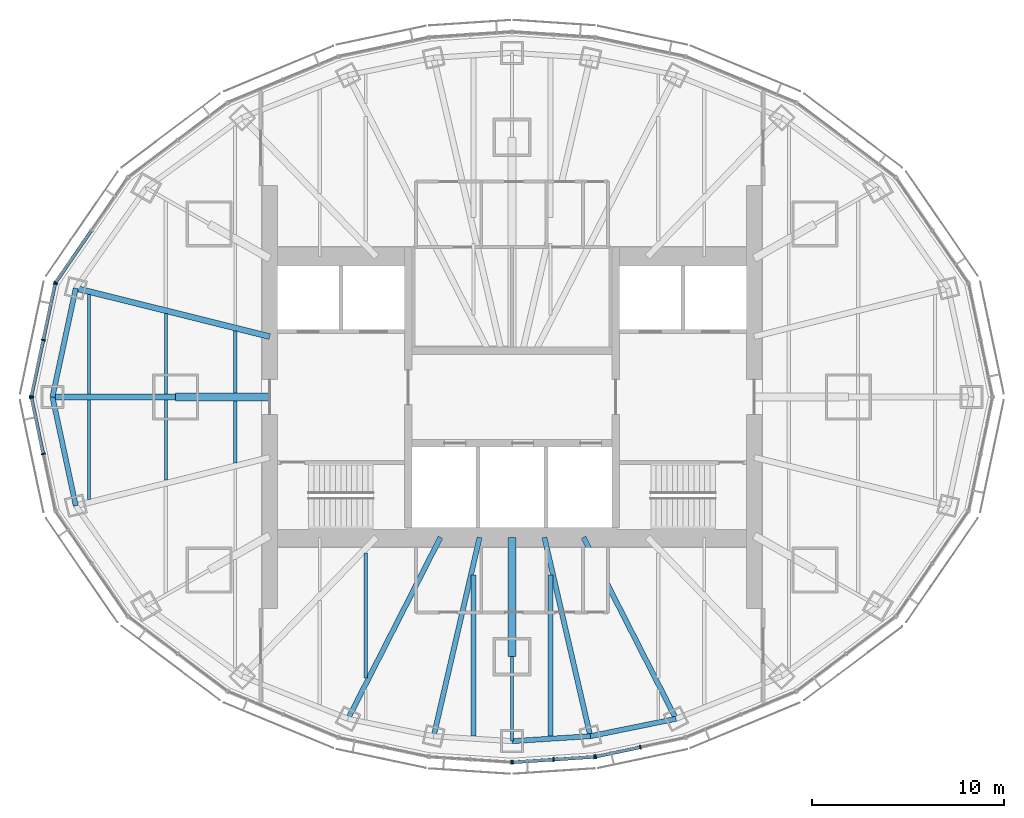
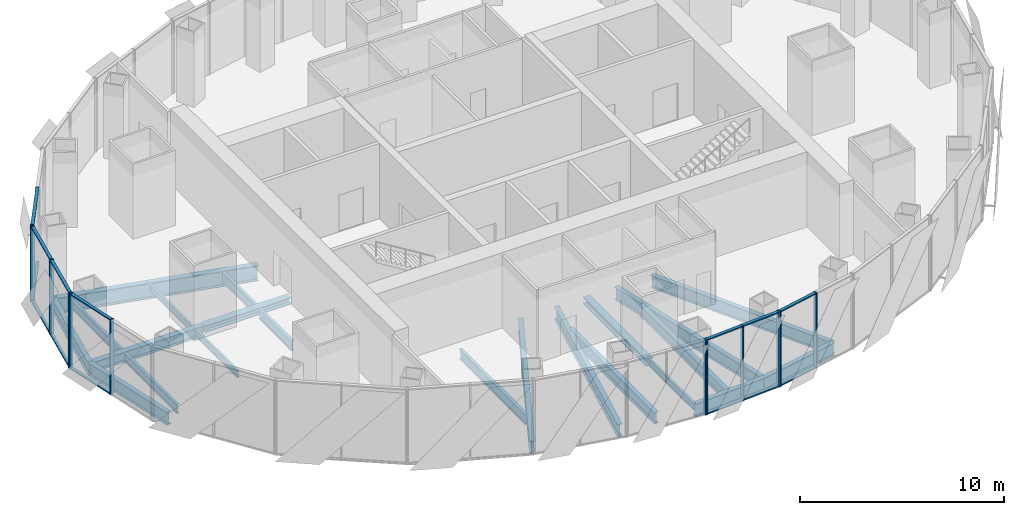
# One storey, part 3 of 15: 26 members, 22 beams, 6 elements without a shape of their own.
"""IFC4 building model written with IfcOpenShell, lengths in metres."""

import ifcopenshell
import ifcopenshell.guid

model = None  # the IFC model being written
_history = None  # IfcOwnerHistory: only IFC2X3 demands one
_inside = {}  # id of a spatial element -> (the spatial element, [elements in it])
_under = {}  # id of a project, library or spatial element -> (it, [spatial elements below it])
_declared = {}  # id of a project -> (the project, [libraries it declares])
_typed = {}  # id of a type object -> (the type object, [elements of that type])
_made_of = {}  # id of a material, layer set ... -> (it, [elements and type objects made of it])


def new_model(schema):
    """Start an empty IFC model of exactly this schema.

    Asked for "IFC4X3", IfcOpenShell would pick the latest addendum, in which some entities
    have other attributes; the version numbers below select the first issue.
    IFC2X3 requires an IfcOwnerHistory on every rooted entity: one is made here for all.
    """
    global model, _history
    if schema == "IFC4X3":
        model = ifcopenshell.file(schema_version=(4, 3, 0, 0))
    else:
        model = ifcopenshell.file(schema=schema)
    _inside.clear()
    _under.clear()
    _declared.clear()
    _typed.clear()
    _made_of.clear()
    _history = None
    if model.schema == "IFC2X3":
        org = make("IfcOrganization", Name="unknown")
        user = make(
            "IfcPersonAndOrganization",
            ThePerson=make("IfcPerson", FamilyName="unknown"),
            TheOrganization=org,
        )
        app = make(
            "IfcApplication",
            ApplicationDeveloper=org,
            Version="unknown",
            ApplicationFullName="unknown",
            ApplicationIdentifier="unknown",
        )
        _history = make(
            "IfcOwnerHistory",
            OwningUser=user,
            OwningApplication=app,
            ChangeAction="ADDED",
            CreationDate=0,
        )
    return model


def make(cls, **values):
    """One entity of the class cls with the attributes given. An attribute that is None is left unset."""
    return model.create_entity(
        cls, **{name: value for name, value in values.items() if value is not None}
    )


def rooted(cls, **values):
    """An entity with a GlobalId (a new one), such as an element, a storey or a relation."""
    return make(cls, GlobalId=ifcopenshell.guid.new(), OwnerHistory=_history, **values)


def si_unit(unit_type, name, prefix=None):
    """IfcSIUnit, for example si_unit("LENGTHUNIT", "METRE", prefix="MILLI")."""
    return make("IfcSIUnit", UnitType=unit_type, Prefix=prefix, Name=name)


def assignment(units):
    """IfcUnitAssignment: the units of a project."""
    return None if units is None else make("IfcUnitAssignment", Units=units)


def point(xyz):
    """IfcCartesianPoint."""
    return None if xyz is None else make("IfcCartesianPoint", Coordinates=xyz)


def direction(xyz):
    """IfcDirection."""
    return None if xyz is None else make("IfcDirection", DirectionRatios=xyz)


def frame(location, z_axis=None, x_axis=None):
    """IfcAxis2Placement3D, a coordinate frame: its origin and axes. An axis left out is left unset."""
    return make(
        "IfcAxis2Placement3D",
        Location=point(location),
        Axis=direction(z_axis),
        RefDirection=direction(x_axis),
    )


def frame_2d(location, x_axis=None):
    """IfcAxis2Placement2D, a coordinate frame in the plane: its origin and x axis."""
    return make(
        "IfcAxis2Placement2D", Location=point(location), RefDirection=direction(x_axis)
    )


def origin():
    """The frame at (0, 0, 0) with its axes left unset."""
    return frame((0.0, 0.0, 0.0))


def origin_2d():
    """The frame at (0, 0) in the plane with its x axis left unset."""
    return frame_2d((0.0, 0.0))


def place(relative_to, where):
    """IfcLocalPlacement: puts the frame where relative to a parent placement (None: the world)."""
    return make(
        "IfcLocalPlacement", PlacementRelTo=relative_to, RelativePlacement=where
    )


def context(
    kind, dimensions, precision=None, world=None, true_north=None, identifier=None
):
    """IfcGeometricRepresentationContext, for example the 3D "Model" context."""
    return make(
        "IfcGeometricRepresentationContext",
        ContextIdentifier=identifier,
        ContextType=kind,
        CoordinateSpaceDimension=dimensions,
        Precision=precision,
        WorldCoordinateSystem=world,
        TrueNorth=true_north,
    )


def subcontext(parent, identifier, kind, view, scale=None):
    """IfcGeometricRepresentationSubContext, for example "Body" below "Model"."""
    return make(
        "IfcGeometricRepresentationSubContext",
        ContextIdentifier=identifier,
        ContextType=kind,
        ParentContext=parent,
        TargetScale=scale,
        TargetView=view,
    )


def project(units=None, contexts=None):
    """IfcProject with its units and contexts."""
    return rooted(
        "IfcProject",
        Name="project",
        RepresentationContexts=contexts,
        UnitsInContext=assignment(units),
    )


def spatial(cls, under=None, at=None, **own):
    """A site, building, storey or space (cls), placed at a placement, below another one or the project."""
    s = rooted(cls, ObjectPlacement=at, **own)
    if under is not None:
        _under.setdefault(under.id(), (under, []))[1].append(s)
    return s


def profile(cls, at=None, kind="AREA", **sizes):
    """A parametric profile (cls). Its sizes go by their IFC names, for example OverallWidth=200.0."""
    return make(cls, ProfileType=kind, Position=at, **sizes)


def rectangle(**sizes):
    """IfcRectangleProfileDef."""
    return profile("IfcRectangleProfileDef", **sizes)


def i_section(**sizes):
    """IfcIShapeProfileDef."""
    return profile("IfcIShapeProfileDef", **sizes)


def extrude(swept, where, along, depth):
    """IfcExtrudedAreaSolid: the profile swept, set in the frame where, extruded along a direction by depth."""
    return make(
        "IfcExtrudedAreaSolid",
        SweptArea=swept,
        Position=where,
        ExtrudedDirection=direction(along),
        Depth=depth,
    )


def shape(context_of_items, identifier, shape_type, items):
    """IfcShapeRepresentation: the items that make up one representation, for example the "Body"."""
    return make(
        "IfcShapeRepresentation",
        ContextOfItems=context_of_items,
        RepresentationIdentifier=identifier,
        RepresentationType=shape_type,
        Items=items,
    )


def material(Name=None, Category=None):
    """IfcMaterial."""
    return make("IfcMaterial", Name=Name, Category=Category)


def material_profile(
    of_material, cross_section, Name=None, Category=None, Priority=None
):
    """IfcMaterialProfile: a cross section and its material."""
    return make(
        "IfcMaterialProfile",
        Name=Name,
        Material=of_material,
        Profile=cross_section,
        Priority=Priority,
        Category=Category,
    )


def profile_set(profiles, Name=None, composite=None):
    """IfcMaterialProfileSet."""
    return make(
        "IfcMaterialProfileSet",
        Name=Name,
        MaterialProfiles=profiles,
        CompositeProfile=composite,
    )


def made_of(thing, what):
    """Note that an element or type object is made of a material, layer set ...; save() writes the relation."""
    if what is not None:
        _made_of.setdefault(what.id(), (what, []))[1].append(thing)
    return thing


def type_object(cls, material=None, **own):
    """A type object (cls), such as IfcWallType, which elements share."""
    return made_of(rooted(cls, **own), material)


def element(
    cls,
    number,
    at=None,
    inside=None,
    cuts=None,
    type_object=None,
    material=None,
    context=None,
    identifier="Body",
    shape_type=None,
    held_by="IfcProductDefinitionShape",
    body=None,
    shapes=None,
    **own,
):
    """One element of the class cls, such as IfcWall. Its Tag is "e" and its number.

    at: its placement. inside: the storey or other place that contains it. cuts: it is an
    opening in that element (IfcRelVoidsElement). A single representation is given by context,
    identifier, shape_type and body (its items); several are given by shapes. held_by: the class
    of the entity that holds the representations. save() writes the other relations.
    """
    e = rooted(cls, Tag="e%d" % number, ObjectPlacement=at, **own)
    if body is not None:
        shapes = [shape(context, identifier, shape_type, body)]
    if shapes is not None:
        e.Representation = make(held_by, Representations=shapes)
    if inside is not None:
        _inside.setdefault(inside.id(), (inside, []))[1].append(e)
    if cuts is not None:
        rooted(
            "IfcRelVoidsElement", RelatingBuildingElement=cuts, RelatedOpeningElement=e
        )
    if type_object is not None:
        _typed.setdefault(type_object.id(), (type_object, []))[1].append(e)
    return made_of(e, material)


def aggregate(whole, parts):
    """IfcRelAggregates: a whole, such as a stair, and the parts it consists of."""
    return rooted("IfcRelAggregates", RelatingObject=whole, RelatedObjects=parts)


def save(model, path):
    """Write the relations noted so far, then the file.

    IfcRelAggregates (storeys below a building ...), IfcRelContainedInSpatialStructure (elements
    in a storey), IfcRelDefinesByType, IfcRelAssociatesMaterial and IfcRelDeclares: one each for
    every whole, place, type object, material and project.
    """
    for whole, parts in _under.values():
        aggregate(whole, parts)
    for where, things in _inside.values():
        rooted(
            "IfcRelContainedInSpatialStructure",
            RelatedElements=things,
            RelatingStructure=where,
        )
    for kind, things in _typed.values():
        rooted("IfcRelDefinesByType", RelatedObjects=things, RelatingType=kind)
    for what, things in _made_of.values():
        rooted("IfcRelAssociatesMaterial", RelatedObjects=things, RelatingMaterial=what)
    for by, libraries in _declared.values():
        rooted("IfcRelDeclares", RelatingContext=by, RelatedDefinitions=libraries)
    model.write(path)


model = new_model("IFC4")

# Units and contexts
model_context = context("Model", 3, precision=1e-05, world=origin(), true_north=direction((0.0, 1.0)))
body_context = subcontext(model_context, "Body", "Model", "MODEL_VIEW")
ifc_project = project(units=[si_unit("LENGTHUNIT", "METRE"), si_unit("AREAUNIT", "SQUARE_METRE"), si_unit("VOLUMEUNIT", "CUBIC_METRE"), si_unit("PLANEANGLEUNIT", "RADIAN"), si_unit("MASSUNIT", "GRAM", prefix="KILO")], contexts=[model_context])

# Site, building, storey
site_placement = place(None, origin())
site = spatial("IfcSite", under=ifc_project, at=site_placement, CompositionType="ELEMENT")
building_placement = place(site_placement, origin())
building = spatial("IfcBuilding", under=site, at=building_placement, Name="Lantaw Convention Tower", CompositionType="ELEMENT")
storey_placement = place(building_placement, frame((0.0, 0.0, 274.89990234375)))
storey = spatial("IfcBuildingStorey", under=building, at=storey_placement, Name="L64", CompositionType="ELEMENT", Elevation=274.89990234375)

# Beams
ifc_material_1 = material(Name="Steel ASTM A992", Category="steel")
ifc_material_profile_1 = material_profile(ifc_material_1, i_section(OverallWidth=0.2666015625, OverallDepth=0.76953125, WebThickness=0.015625, FlangeThickness=0.025390625, FilletRadius=0.0126953125, at=origin_2d()), Name="W30X132")
ifc_profile_set_1 = profile_set([ifc_material_profile_1], Name="Steel ASTM A992")
beam_type_1 = type_object("IfcBeamType", Name="Beam E W30X132", PredefinedType="SPANDREL", material=ifc_profile_set_1)
for number, where, z_axis, x_axis, name in (
    (1, (-22.68701171875, 5.656494140625, -0.53466796875), (-0.209658780372, -0.977774614015, 0.0), (0.977774614015, -0.209658780372, 0.0), "Edge beam 12"),
    (2, (-23.89990234375, 0.0, -0.53466796875), (0.209658780372, -0.977774614015, 0.0), (0.977774614015, 0.209658780372, 0.0), "Edge beam 13"),
):
    element("IfcBeam", number, at=place(storey_placement, frame(where, z_axis=z_axis, x_axis=x_axis)), inside=storey, type_object=beam_type_1, Name=name, PredefinedType="SPANDREL", context=body_context, shape_type="SweptSolid", body=[
        extrude(i_section(OverallWidth=0.2666015625, OverallDepth=0.76953125, WebThickness=0.015625, FlangeThickness=0.025390625, FilletRadius=0.0126953125, at=origin_2d()), origin(), (0.0, 0.0, 1.0), 5.78515625),
    ])
beam_1_placement = place(storey_placement, frame((0.0, -17.89990234375, -0.53466796875), z_axis=(0.998006453216, 0.063111958769, 0.0), x_axis=(-0.063111958769, 0.998006453216, 0.0)))
element("IfcBeam", 3, at=beam_1_placement, inside=storey, type_object=beam_type_1, Name="Edge beam 19", PredefinedType="SPANDREL", context=body_context, shape_type="SweptSolid", body=[
    extrude(i_section(OverallWidth=0.2666015625, OverallDepth=0.76953125, WebThickness=0.015625, FlangeThickness=0.025390625, FilletRadius=0.0126953125, at=origin_2d()), origin(), (0.0, 0.0, 1.0), 4.0810546875),
])
beam_2_placement = place(storey_placement, frame((4.072998046875, -17.642333984375, -0.53466796875), z_axis=(0.980006466425, 0.198965639657, 0.0), x_axis=(-0.198965639657, 0.980006466425, 0.0)))
element("IfcBeam", 4, at=beam_2_placement, inside=storey, type_object=beam_type_1, Name="Edge beam 20", PredefinedType="SPANDREL", context=body_context, shape_type="SweptSolid", body=[
    extrude(i_section(OverallWidth=0.2666015625, OverallDepth=0.76953125, WebThickness=0.015625, FlangeThickness=0.025390625, FilletRadius=0.0126953125, at=origin_2d()), origin(), (0.0, 0.0, 1.0), 4.546142578125),
])
ifc_material_profile_2 = material_profile(ifc_material_1, i_section(OverallWidth=0.140380859375, OverallDepth=0.40380859375, WebThickness=0.007080078125, FlangeThickness=0.01123046875, FilletRadius=0.01025390625, at=origin_2d()), Name="W16X31")
ifc_profile_set_2 = profile_set([ifc_material_profile_2], Name="Steel ASTM A992")
beam_type_2 = type_object("IfcBeamType", Name="Beam G W16X31", PredefinedType="BEAM", material=ifc_profile_set_2)
beam_3_placement = place(storey_placement, frame((0.0, -13.5, -0.351806640625), z_axis=(0.0, -1.0, 0.0), x_axis=(1.0, 0.0, 0.0)))
element("IfcBeam", 5, at=beam_3_placement, inside=storey, type_object=beam_type_2, Name="Floor girder on ray 19", PredefinedType="BEAM", context=body_context, shape_type="SweptSolid", body=[
    extrude(i_section(OverallWidth=0.140380859375, OverallDepth=0.40380859375, WebThickness=0.007080078125, FlangeThickness=0.01123046875, FilletRadius=0.01025390625, at=origin_2d()), origin(), (0.0, 0.0, 1.0), 4.39990234375),
])
ifc_material_profile_3 = material_profile(ifc_material_1, i_section(OverallWidth=0.3251953125, OverallDepth=0.612060546875, WebThickness=0.0126953125, FlangeThickness=0.01904296875, FilletRadius=0.0126953125, at=origin_2d()), Name="W24X104")
ifc_profile_set_3 = profile_set([ifc_material_profile_3], Name="Steel ASTM A992")
beam_type_3 = type_object("IfcBeamType", Name="Beam G W24X104", PredefinedType="BEAM", material=ifc_profile_set_3)
beam_4_placement = place(storey_placement, frame((-17.5, 0.0, -0.4560546875), z_axis=(-1.0, 0.0, 0.0), x_axis=(0.0, -1.0, 0.0)))
element("IfcBeam", 6, at=beam_4_placement, inside=storey, type_object=beam_type_3, Name="Floor girder on ray 13", PredefinedType="BEAM", context=body_context, shape_type="SweptSolid", body=[
    extrude(i_section(OverallWidth=0.3251953125, OverallDepth=0.612060546875, WebThickness=0.0126953125, FlangeThickness=0.01904296875, FilletRadius=0.0126953125, at=origin_2d()), origin(), (0.0, 0.0, 1.0), 6.39990234375),
])
ifc_material_profile_4 = material_profile(ifc_material_1, i_section(OverallWidth=0.2666015625, OverallDepth=0.7568359375, WebThickness=0.013916015625, FlangeThickness=0.019287109375, FilletRadius=0.0126953125, at=origin_2d()), Name="W30X108")
ifc_profile_set_4 = profile_set([ifc_material_profile_4], Name="Steel ASTM A992")
beam_type_4 = type_object("IfcBeamType", Name="Beam G W30X108", PredefinedType="BEAM", material=ifc_profile_set_4)
beam_5_placement = place(storey_placement, frame((-3.719482421875, -7.300048828125, -0.5283203125), z_axis=(-0.453995526284, -0.891003963018, 0.0), x_axis=(0.891003963018, -0.453995526284, 0.0)))
element("IfcBeam", 7, at=beam_5_placement, inside=storey, type_object=beam_type_4, Name="Floor girder on ray 17", PredefinedType="BEAM", context=body_context, shape_type="SweptSolid", body=[
    extrude(i_section(OverallWidth=0.2666015625, OverallDepth=0.7568359375, WebThickness=0.013916015625, FlangeThickness=0.019287109375, FilletRadius=0.0126953125, at=origin_2d()), origin(), (0.0, 0.0, 1.0), 10.59228515625),
])
for number, where, z_axis, x_axis, name in (
    (8, (-1.685302734375, -7.300048828125, -0.5283203125), (-0.22495021771, -0.974370257937, 0.0), (0.974370257937, -0.22495021771, 0.0), "Floor girder on ray 18"),
    (9, (1.685302734375, -7.300048828125, -0.5283203125), (0.22495021771, -0.974370257937, 0.0), (0.974370257937, 0.22495021771, 0.0), "Floor girder on ray 20"),
):
    element("IfcBeam", number, at=place(storey_placement, frame(where, z_axis=z_axis, x_axis=x_axis)), inside=storey, type_object=beam_type_4, Name=name, PredefinedType="BEAM", context=body_context, shape_type="SweptSolid", body=[
        extrude(i_section(OverallWidth=0.2666015625, OverallDepth=0.7568359375, WebThickness=0.013916015625, FlangeThickness=0.019287109375, FilletRadius=0.0126953125, at=origin_2d()), origin(), (0.0, 0.0, 1.0), 10.6142578125),
    ])
beam_6_placement = place(storey_placement, frame((3.719482421875, -7.300048828125, -0.5283203125), z_axis=(0.453995526284, -0.891003963018, 0.0), x_axis=(0.891003963018, 0.453995526284, 0.0)))
element("IfcBeam", 10, at=beam_6_placement, inside=storey, type_object=beam_type_4, Name="Floor girder on ray 21", PredefinedType="BEAM", context=body_context, shape_type="SweptSolid", body=[
    extrude(i_section(OverallWidth=0.2666015625, OverallDepth=0.7568359375, WebThickness=0.013916015625, FlangeThickness=0.019287109375, FilletRadius=0.0126953125, at=origin_2d()), origin(), (0.0, 0.0, 1.0), 10.59228515625),
])
ifc_material_profile_5 = material_profile(ifc_material_1, i_section(OverallWidth=0.307373046875, OverallDepth=0.9423828125, WebThickness=0.022216796875, FlangeThickness=0.039794921875, FilletRadius=0.0126953125, at=origin_2d()), Name="W36X232")
ifc_profile_set_5 = profile_set([ifc_material_profile_5], Name="Steel ASTM A992")
beam_type_5 = type_object("IfcBeamType", Name="Beam G W36X232", PredefinedType="BEAM", material=ifc_profile_set_5)
beam_7_placement = place(storey_placement, frame((-12.60009765625, 3.1416015625, -0.62109375), z_axis=(-0.97029702597, 0.241916682751, 0.0), x_axis=(-0.241916682751, -0.97029702597, 0.0)))
element("IfcBeam", 11, at=beam_7_placement, inside=storey, type_object=beam_type_5, Name="Floor girder on ray 12", PredefinedType="BEAM", context=body_context, shape_type="SweptSolid", body=[
    extrude(i_section(OverallWidth=0.307373046875, OverallDepth=0.9423828125, WebThickness=0.022216796875, FlangeThickness=0.039794921875, FilletRadius=0.0126953125, at=origin_2d()), origin(), (0.0, 0.0, 1.0), 10.395751953125),
])
ifc_material_profile_6 = material_profile(ifc_material_1, i_section(OverallWidth=0.40380859375, OverallDepth=0.406494140625, WebThickness=0.027099609375, FlangeThickness=0.043701171875, FilletRadius=0.01513671875, at=origin_2d()), Name="W14X233")
ifc_profile_set_6 = profile_set([ifc_material_profile_6], Name="Steel ASTM A992")
beam_type_6 = type_object("IfcBeamType", Name="Beam GM W14X233", PredefinedType="BEAM", material=ifc_profile_set_6)
beam_8_placement = place(storey_placement, frame((-12.60009765625, 0.0, -0.35302734375), z_axis=(-1.0, 0.0, 0.0), x_axis=(0.0, -1.0, 0.0)))
element("IfcBeam", 12, at=beam_8_placement, inside=storey, type_object=beam_type_6, Name="Core link beam on ray 13", PredefinedType="BEAM", context=body_context, shape_type="SweptSolid", body=[
    extrude(i_section(OverallWidth=0.40380859375, OverallDepth=0.406494140625, WebThickness=0.027099609375, FlangeThickness=0.043701171875, FilletRadius=0.01513671875, at=origin_2d()), origin(), (0.0, 0.0, 1.0), 4.89990234375),
])
beam_9_placement = place(storey_placement, frame((0.0, -7.300048828125, -0.35302734375), z_axis=(0.0, -1.0, 0.0), x_axis=(1.0, 0.0, 0.0)))
element("IfcBeam", 13, at=beam_9_placement, inside=storey, type_object=beam_type_6, Name="Core link beam on ray 19", PredefinedType="BEAM", context=body_context, shape_type="SweptSolid", body=[
    extrude(i_section(OverallWidth=0.40380859375, OverallDepth=0.406494140625, WebThickness=0.027099609375, FlangeThickness=0.043701171875, FilletRadius=0.01513671875, at=origin_2d()), origin(), (0.0, 0.0, 1.0), 6.199951171875),
])
ifc_material_profile_7 = material_profile(ifc_material_1, i_section(OverallWidth=0.140380859375, OverallDepth=0.40380859375, WebThickness=0.007080078125, FlangeThickness=0.01123046875, FilletRadius=0.01025390625, at=origin_2d()), Name="W16X31")
ifc_profile_set_7 = profile_set([ifc_material_profile_7], Name="Steel ASTM A992")
beam_type_7 = type_object("IfcBeamType", Name="Beam J W16X31", PredefinedType="JOIST", material=ifc_profile_set_7)
for number, where, z_axis, x_axis, name in (
    (14, (-18.0, -4.32958984375, -0.351806640625), (0.0, 1.0, 0.0), (-1.0, 0.0, 0.0), "Floor joist"),
    (15, (-18.0, 0.16259765625, -0.351806640625), (0.0, 1.0, 0.0), (-1.0, 0.0, 0.0), "Floor joist"),
):
    element("IfcBeam", number, at=place(storey_placement, frame(where, z_axis=z_axis, x_axis=x_axis)), inside=storey, type_object=beam_type_7, Name=name, PredefinedType="JOIST", context=body_context, shape_type="SweptSolid", body=[
        extrude(i_section(OverallWidth=0.140380859375, OverallDepth=0.40380859375, WebThickness=0.007080078125, FlangeThickness=0.01123046875, FilletRadius=0.01025390625, at=origin_2d()), origin(), (0.0, 0.0, 1.0), 4.1669921875),
    ])
ifc_material_profile_8 = material_profile(ifc_material_1, i_section(OverallWidth=0.1650390625, OverallDepth=0.52587890625, WebThickness=0.0087890625, FlangeThickness=0.011474609375, FilletRadius=0.0126953125, at=origin_2d()), Name="W21X44")
ifc_profile_set_8 = profile_set([ifc_material_profile_8], Name="Steel ASTM A992")
beam_type_8 = type_object("IfcBeamType", Name="Beam J W21X44", PredefinedType="JOIST", material=ifc_profile_set_8)
for number, where, z_axis, x_axis, name in (
    (16, (-22.0, -5.326904296875, -0.412841796875), (0.0, 1.0, 0.0), (-1.0, 0.0, 0.0), "Floor joist"),
    (17, (-22.0, 0.16259765625, -0.412841796875), (0.0, 1.0, 0.0), (-1.0, 0.0, 0.0), "Floor joist"),
):
    element("IfcBeam", number, at=place(storey_placement, frame(where, z_axis=z_axis, x_axis=x_axis)), inside=storey, type_object=beam_type_8, Name=name, PredefinedType="JOIST", context=body_context, shape_type="SweptSolid", body=[
        extrude(i_section(OverallWidth=0.1650390625, OverallDepth=0.52587890625, WebThickness=0.0087890625, FlangeThickness=0.011474609375, FilletRadius=0.0126953125, at=origin_2d()), origin(), (0.0, 0.0, 1.0), 5.164306640625),
    ])
ifc_material_profile_9 = material_profile(ifc_material_1, i_section(OverallWidth=0.177978515625, OverallDepth=0.599365234375, WebThickness=0.010009765625, FlangeThickness=0.012939453125, FilletRadius=0.012939453125, at=origin_2d()), Name="W24X55")
ifc_profile_set_9 = profile_set([ifc_material_profile_9], Name="Steel ASTM A992")
beam_type_9 = type_object("IfcBeamType", Name="Beam J W24X55", PredefinedType="JOIST", material=ifc_profile_set_9)
for number, where, z_axis, x_axis, name in (
    (18, (-14.39990234375, -3.431884765625, -0.44970703125), (0.0, 1.0, 0.0), (-1.0, 0.0, 0.0), "Floor joist"),
    (19, (-14.39990234375, 0.201904296875, -0.44970703125), (0.0, 1.0, 0.0), (-1.0, 0.0, 0.0), "Floor joist"),
):
    element("IfcBeam", number, at=place(storey_placement, frame(where, z_axis=z_axis, x_axis=x_axis)), inside=storey, type_object=beam_type_9, Name=name, PredefinedType="JOIST", context=body_context, shape_type="SweptSolid", body=[
        extrude(i_section(OverallWidth=0.177978515625, OverallDepth=0.599365234375, WebThickness=0.010009765625, FlangeThickness=0.012939453125, FilletRadius=0.012939453125, at=origin_2d()), origin(), (0.0, 0.0, 1.0), 3.22998046875),
    ])
beam_10_placement = place(storey_placement, frame((-7.60009765625, -14.6220703125, -0.44970703125), z_axis=(0.0, 1.0, 0.0), x_axis=(-1.0, 0.0, 0.0)))
element("IfcBeam", 20, at=beam_10_placement, inside=storey, type_object=beam_type_9, Name="Floor joist", PredefinedType="JOIST", context=body_context, shape_type="SweptSolid", body=[
    extrude(i_section(OverallWidth=0.177978515625, OverallDepth=0.599365234375, WebThickness=0.010009765625, FlangeThickness=0.012939453125, FilletRadius=0.012939453125, at=origin_2d()), origin(), (0.0, 0.0, 1.0), 6.51611328125),
])
ifc_material_profile_10 = material_profile(ifc_material_1, i_section(OverallWidth=0.25390625, OverallDepth=0.683349609375, WebThickness=0.012451171875, FlangeThickness=0.01904296875, FilletRadius=0.01513671875, at=origin_2d()), Name="W27X94")
ifc_profile_set_10 = profile_set([ifc_material_profile_10], Name="Steel ASTM A992")
beam_type_10 = type_object("IfcBeamType", Name="Beam J W27X94", PredefinedType="JOIST", material=ifc_profile_set_10)
for number, where, z_axis, x_axis, name in (
    (21, (-2.0, -17.639892578125, -0.491455078125), (0.0, 1.0, 0.0), (-1.0, 0.0, 0.0), "Floor joist"),
    (22, (2.0, -17.639892578125, -0.491455078125), (0.0, 1.0, 0.0), (-1.0, 0.0, 0.0), "Floor joist"),
):
    element("IfcBeam", number, at=place(storey_placement, frame(where, z_axis=z_axis, x_axis=x_axis)), inside=storey, type_object=beam_type_10, Name=name, PredefinedType="JOIST", context=body_context, shape_type="SweptSolid", body=[
        extrude(i_section(OverallWidth=0.25390625, OverallDepth=0.683349609375, WebThickness=0.012451171875, FlangeThickness=0.01904296875, FilletRadius=0.01513671875, at=origin_2d()), origin(), (0.0, 0.0, 1.0), 8.384033203125),
    ])

# Curtain wall, member
ifc_material_2 = material(Name="Aluminium framed curtain wall", Category="aluminium")
curtain_wall_type = type_object("IfcCurtainWallType", Name="Executive floors curtain wall, pale aluminium", PredefinedType="USERDEFINED", material=ifc_material_2)
curtain_wall_1_placement = place(storey_placement, origin())
curtain_wall_1 = element("IfcCurtainWall", 23, at=curtain_wall_1_placement, inside=storey, type_object=curtain_wall_type, Name="Executive floors curtain wall, pale aluminium L64", ObjectType="UNITISED CURTAIN WALL", PredefinedType="USERDEFINED")
ifc_material_3 = material(Name="Aluminium 6063-T6", Category="aluminium")
ifc_material_profile_11 = material_profile(ifc_material_3, rectangle(XDim=0.219970703125, YDim=0.070068359375, at=origin_2d()), Name="CW-T mullion 70x220")
ifc_profile_set_11 = profile_set([ifc_material_profile_11], Name="Aluminium 6063-T6")
member_type_1 = type_object("IfcMemberType", Name="CW-T mullion 70x220", PredefinedType="MULLION", material=ifc_profile_set_11)
member_1_placement = place(storey_placement, frame((-23.734619140625, 5.951416015625, -0.14990234375), z_axis=(0.0, 0.0, 1.0), x_axis=(0.824449977189, -0.565934832921, 0.0)))
member_1 = element("IfcMember", 24, at=member_1_placement, type_object=member_type_1, Name="CW-T mullion 3", PredefinedType="MULLION", context=body_context, shape_type="SweptSolid", body=[
    extrude(rectangle(XDim=0.219970703125, YDim=0.070068359375, at=origin_2d()), origin(), (0.0, 0.0, 1.0), 4.5),
])

# Curtain wall, members
curtain_wall_2_placement = place(storey_placement, origin())
curtain_wall_2 = element("IfcCurtainWall", 25, at=curtain_wall_2_placement, inside=storey, type_object=curtain_wall_type, Name="Executive floors curtain wall, pale aluminium L64", ObjectType="UNITISED CURTAIN WALL", PredefinedType="USERDEFINED")
member_2_placement = place(storey_placement, frame((-23.761474609375, 5.888427734375, -0.14990234375), z_axis=(0.0, 0.0, 1.0), x_axis=(0.978591117263, -0.205814054946, 0.0)))
member_2 = element("IfcMember", 26, at=member_2_placement, type_object=member_type_1, Name="CW-T mullion 1", PredefinedType="MULLION", context=body_context, shape_type="SweptSolid", body=[
    extrude(rectangle(XDim=0.219970703125, YDim=0.070068359375, at=origin_2d()), origin(), (0.0, 0.0, 1.0), 4.5),
])
member_3_placement = place(storey_placement, frame((-24.377197265625, 2.96142578125, -0.14990234375), z_axis=(0.0, 0.0, 1.0), x_axis=(0.978591117263, -0.205814054946, 0.0)))
member_3 = element("IfcMember", 27, at=member_3_placement, type_object=member_type_1, Name="CW-T mullion 2", PredefinedType="MULLION", context=body_context, shape_type="SweptSolid", body=[
    extrude(rectangle(XDim=0.219970703125, YDim=0.070068359375, at=origin_2d()), origin(), (0.0, 0.0, 1.0), 4.5),
])
member_4_placement = place(storey_placement, frame((-24.99267578125, 0.0341796875, -0.14990234375), z_axis=(0.0, 0.0, 1.0), x_axis=(0.978591117263, -0.205814054946, 0.0)))
member_4 = element("IfcMember", 28, at=member_4_placement, type_object=member_type_1, Name="CW-T mullion 3", PredefinedType="MULLION", context=body_context, shape_type="SweptSolid", body=[
    extrude(rectangle(XDim=0.219970703125, YDim=0.070068359375, at=origin_2d()), origin(), (0.0, 0.0, 1.0), 4.5),
])

curtain_wall_3_placement = place(storey_placement, origin())
curtain_wall_3 = element("IfcCurtainWall", 29, at=curtain_wall_3_placement, inside=storey, type_object=curtain_wall_type, Name="Executive floors curtain wall, pale aluminium L64", ObjectType="UNITISED CURTAIN WALL", PredefinedType="USERDEFINED")
member_5_placement = place(storey_placement, frame((-24.99267578125, -0.0341796875, -0.14990234375), z_axis=(0.0, 0.0, 1.0), x_axis=(0.978591117263, 0.205814054946, 0.0)))
member_5 = element("IfcMember", 30, at=member_5_placement, type_object=member_type_1, Name="CW-T mullion 1", PredefinedType="MULLION", context=body_context, shape_type="SweptSolid", body=[
    extrude(rectangle(XDim=0.219970703125, YDim=0.070068359375, at=origin_2d()), origin(), (0.0, 0.0, 1.0), 4.5),
])
member_6_placement = place(storey_placement, frame((-24.377197265625, -2.96142578125, -0.14990234375), z_axis=(0.0, 0.0, 1.0), x_axis=(0.978591117263, 0.205814054946, 0.0)))
member_6 = element("IfcMember", 31, at=member_6_placement, type_object=member_type_1, Name="CW-T mullion 2", PredefinedType="MULLION", context=body_context, shape_type="SweptSolid", body=[
    extrude(rectangle(XDim=0.219970703125, YDim=0.070068359375, at=origin_2d()), origin(), (0.0, 0.0, 1.0), 4.5),
])

# Curtain wall, member
curtain_wall_4_placement = place(storey_placement, origin())
curtain_wall_4 = element("IfcCurtainWall", 32, at=curtain_wall_4_placement, inside=storey, type_object=curtain_wall_type, Name="Executive floors curtain wall, pale aluminium L64", ObjectType="UNITISED CURTAIN WALL", PredefinedType="USERDEFINED")
member_7_placement = place(storey_placement, frame((-0.034912109375, -18.997802734375, -0.14990234375), z_axis=(0.0, 0.0, 1.0), x_axis=(0.066024902273, 0.997817975525, 0.0)))
member_7 = element("IfcMember", 33, at=member_7_placement, type_object=member_type_1, Name="CW-T mullion 3", PredefinedType="MULLION", context=body_context, shape_type="SweptSolid", body=[
    extrude(rectangle(XDim=0.219970703125, YDim=0.070068359375, at=origin_2d()), origin(), (0.0, 0.0, 1.0), 4.5),
])
aggregate(curtain_wall_4, [member_7])

# Curtain wall, members
curtain_wall_5_placement = place(storey_placement, origin())
curtain_wall_5 = element("IfcCurtainWall", 34, at=curtain_wall_5_placement, inside=storey, type_object=curtain_wall_type, Name="Executive floors curtain wall, pale aluminium L64", ObjectType="UNITISED CURTAIN WALL", PredefinedType="USERDEFINED")
member_8_placement = place(storey_placement, frame((0.034912109375, -18.997802734375, -0.14990234375), z_axis=(0.0, 0.0, 1.0), x_axis=(-0.066024902273, 0.997817975525, 0.0)))
member_8 = element("IfcMember", 35, at=member_8_placement, type_object=member_type_1, Name="CW-T mullion 1", PredefinedType="MULLION", context=body_context, shape_type="SweptSolid", body=[
    extrude(rectangle(XDim=0.219970703125, YDim=0.070068359375, at=origin_2d()), origin(), (0.0, 0.0, 1.0), 4.5),
])
member_9_placement = place(storey_placement, frame((2.16015625, -18.857177734375, -0.14990234375), z_axis=(0.0, 0.0, 1.0), x_axis=(-0.066024902273, 0.997817975525, 0.0)))
member_9 = element("IfcMember", 36, at=member_9_placement, type_object=member_type_1, Name="CW-T mullion 2", PredefinedType="MULLION", context=body_context, shape_type="SweptSolid", body=[
    extrude(rectangle(XDim=0.219970703125, YDim=0.070068359375, at=origin_2d()), origin(), (0.0, 0.0, 1.0), 4.5),
])
member_10_placement = place(storey_placement, frame((4.28564453125, -18.71630859375, -0.14990234375), z_axis=(0.0, 0.0, 1.0), x_axis=(-0.066024902273, 0.997817975525, 0.0)))
member_10 = element("IfcMember", 37, at=member_10_placement, type_object=member_type_1, Name="CW-T mullion 3", PredefinedType="MULLION", context=body_context, shape_type="SweptSolid", body=[
    extrude(rectangle(XDim=0.219970703125, YDim=0.070068359375, at=origin_2d()), origin(), (0.0, 0.0, 1.0), 4.5),
])

curtain_wall_6_placement = place(storey_placement, origin())
curtain_wall_6 = element("IfcCurtainWall", 38, at=curtain_wall_6_placement, inside=storey, type_object=curtain_wall_type, Name="Executive floors curtain wall, pale aluminium L64", ObjectType="UNITISED CURTAIN WALL", PredefinedType="USERDEFINED")
member_11_placement = place(storey_placement, frame((4.354736328125, -18.706787109375, -0.14990234375), z_axis=(0.0, 0.0, 1.0), x_axis=(-0.207039911975, 0.978332497083, 0.0)))
member_11 = element("IfcMember", 39, at=member_11_placement, type_object=member_type_1, Name="CW-T mullion 1", PredefinedType="MULLION", context=body_context, shape_type="SweptSolid", body=[
    extrude(rectangle(XDim=0.219970703125, YDim=0.070068359375, at=origin_2d()), origin(), (0.0, 0.0, 1.0), 4.5),
])
member_12_placement = place(storey_placement, frame((6.674072265625, -18.216064453125, -0.14990234375), z_axis=(0.0, 0.0, 1.0), x_axis=(-0.207039911975, 0.978332497083, 0.0)))
member_12 = element("IfcMember", 40, at=member_12_placement, type_object=member_type_1, Name="CW-T mullion 2", PredefinedType="MULLION", context=body_context, shape_type="SweptSolid", body=[
    extrude(rectangle(XDim=0.219970703125, YDim=0.070068359375, at=origin_2d()), origin(), (0.0, 0.0, 1.0), 4.5),
])

# Member
ifc_material_profile_12 = material_profile(ifc_material_3, rectangle(XDim=0.169921875, YDim=0.070068359375, at=origin_2d()), Name="CW-T transom 70x170")
ifc_profile_set_12 = profile_set([ifc_material_profile_12], Name="Aluminium 6063-T6")
member_type_2 = type_object("IfcMemberType", Name="CW-T transom 70x170", PredefinedType="USERDEFINED", material=ifc_profile_set_12)
member_13_placement = place(storey_placement, frame((-21.887939453125, 8.6416015625, -0.114990234375), z_axis=(-0.56594129057, -0.824445544368, 0.0), x_axis=(0.824445544368, -0.56594129057, 0.0)))
member_13 = element("IfcMember", 41, at=member_13_placement, type_object=member_type_2, Name="CW-T transom 2.1", ObjectType="TRANSOM", PredefinedType="USERDEFINED", context=body_context, shape_type="SweptSolid", body=[
    extrude(rectangle(XDim=0.169921875, YDim=0.070068359375, at=origin_2d()), origin(), (0.0, 0.0, 1.0), 3.22802734375),
])

member_14_placement = place(storey_placement, frame((-21.887939453125, 8.6416015625, 4.315185546875), z_axis=(-0.56594129057, -0.824445544368, 0.0), x_axis=(0.824445544368, -0.56594129057, 0.0)))
member_14 = element("IfcMember", 42, at=member_14_placement, type_object=member_type_2, Name="CW-T transom 2.2", ObjectType="TRANSOM", PredefinedType="USERDEFINED", context=body_context, shape_type="SweptSolid", body=[
    extrude(rectangle(XDim=0.169921875, YDim=0.070068359375, at=origin_2d()), origin(), (0.0, 0.0, 1.0), 3.22802734375),
])

aggregate(curtain_wall_1, [member_1, member_13, member_14])

member_15_placement = place(storey_placement, frame((-23.768798828125, 5.854248046875, -0.114990234375), z_axis=(-0.205766173106, -0.978601186391, 0.0), x_axis=(0.978601186391, -0.205766173106, 0.0)))
member_15 = element("IfcMember", 43, at=member_15_placement, type_object=member_type_2, Name="CW-T transom 1.1", ObjectType="TRANSOM", PredefinedType="USERDEFINED", context=body_context, shape_type="SweptSolid", body=[
    extrude(rectangle(XDim=0.169921875, YDim=0.070068359375, at=origin_2d()), origin(), (0.0, 0.0, 1.0), 2.921142578125),
])

member_16_placement = place(storey_placement, frame((-23.768798828125, 5.854248046875, 4.315185546875), z_axis=(-0.205766173106, -0.978601186391, 0.0), x_axis=(0.978601186391, -0.205766173106, 0.0)))
member_16 = element("IfcMember", 44, at=member_16_placement, type_object=member_type_2, Name="CW-T transom 1.2", ObjectType="TRANSOM", PredefinedType="USERDEFINED", context=body_context, shape_type="SweptSolid", body=[
    extrude(rectangle(XDim=0.169921875, YDim=0.070068359375, at=origin_2d()), origin(), (0.0, 0.0, 1.0), 2.921142578125),
])

member_17_placement = place(storey_placement, frame((-24.38427734375, 2.927001953125, -0.114990234375), z_axis=(-0.205863045856, -0.978580812376, 0.0), x_axis=(0.978580812376, -0.205863045856, 0.0)))
member_17 = element("IfcMember", 45, at=member_17_placement, type_object=member_type_2, Name="CW-T transom 2.1", ObjectType="TRANSOM", PredefinedType="USERDEFINED", context=body_context, shape_type="SweptSolid", body=[
    extrude(rectangle(XDim=0.169921875, YDim=0.070068359375, at=origin_2d()), origin(), (0.0, 0.0, 1.0), 2.9208984375),
])

member_18_placement = place(storey_placement, frame((-24.38427734375, 2.927001953125, 4.315185546875), z_axis=(-0.205863045856, -0.978580812376, 0.0), x_axis=(0.978580812376, -0.205863045856, 0.0)))
member_18 = element("IfcMember", 46, at=member_18_placement, type_object=member_type_2, Name="CW-T transom 2.2", ObjectType="TRANSOM", PredefinedType="USERDEFINED", context=body_context, shape_type="SweptSolid", body=[
    extrude(rectangle(XDim=0.169921875, YDim=0.070068359375, at=origin_2d()), origin(), (0.0, 0.0, 1.0), 2.9208984375),
])

aggregate(curtain_wall_2, [member_2, member_3, member_4, member_15, member_16, member_17, member_18])

member_19_placement = place(storey_placement, frame((-24.985595703125, -0.068603515625, -0.114990234375), z_axis=(0.205863045856, -0.978580812376, 0.0), x_axis=(0.978580812376, 0.205863045856, 0.0)))
member_19 = element("IfcMember", 47, at=member_19_placement, type_object=member_type_2, Name="CW-T transom 1.1", ObjectType="TRANSOM", PredefinedType="USERDEFINED", context=body_context, shape_type="SweptSolid", body=[
    extrude(rectangle(XDim=0.169921875, YDim=0.070068359375, at=origin_2d()), origin(), (0.0, 0.0, 1.0), 2.9208984375),
])

member_20_placement = place(storey_placement, frame((-24.985595703125, -0.068603515625, 4.315185546875), z_axis=(0.205863045856, -0.978580812376, 0.0), x_axis=(0.978580812376, 0.205863045856, 0.0)))
member_20 = element("IfcMember", 48, at=member_20_placement, type_object=member_type_2, Name="CW-T transom 1.2", ObjectType="TRANSOM", PredefinedType="USERDEFINED", context=body_context, shape_type="SweptSolid", body=[
    extrude(rectangle(XDim=0.169921875, YDim=0.070068359375, at=origin_2d()), origin(), (0.0, 0.0, 1.0), 2.9208984375),
])

aggregate(curtain_wall_3, [member_5, member_6, member_19, member_20])

member_21_placement = place(storey_placement, frame((0.06982421875, -18.995361328125, -0.114990234375), z_axis=(0.997818593988, 0.066015554918, 0.0), x_axis=(-0.066015554918, 0.997818593988, 0.0)))
member_21 = element("IfcMember", 49, at=member_21_placement, type_object=member_type_2, Name="CW-T transom 1.1", ObjectType="TRANSOM", PredefinedType="USERDEFINED", context=body_context, shape_type="SweptSolid", body=[
    extrude(rectangle(XDim=0.169921875, YDim=0.070068359375, at=origin_2d()), origin(), (0.0, 0.0, 1.0), 2.059814453125),
])

member_22_placement = place(storey_placement, frame((0.06982421875, -18.995361328125, 4.315185546875), z_axis=(0.997818593988, 0.066015554918, 0.0), x_axis=(-0.066015554918, 0.997818593988, 0.0)))
member_22 = element("IfcMember", 50, at=member_22_placement, type_object=member_type_2, Name="CW-T transom 1.2", ObjectType="TRANSOM", PredefinedType="USERDEFINED", context=body_context, shape_type="SweptSolid", body=[
    extrude(rectangle(XDim=0.169921875, YDim=0.070068359375, at=origin_2d()), origin(), (0.0, 0.0, 1.0), 2.059814453125),
])

member_23_placement = place(storey_placement, frame((2.195068359375, -18.854736328125, -0.114990234375), z_axis=(0.997819110413, 0.066007748753, 0.0), x_axis=(-0.066007748753, 0.997819110413, 0.0)))
member_23 = element("IfcMember", 51, at=member_23_placement, type_object=member_type_2, Name="CW-T transom 2.1", ObjectType="TRANSOM", PredefinedType="USERDEFINED", context=body_context, shape_type="SweptSolid", body=[
    extrude(rectangle(XDim=0.169921875, YDim=0.070068359375, at=origin_2d()), origin(), (0.0, 0.0, 1.0), 2.06005859375),
])

member_24_placement = place(storey_placement, frame((2.195068359375, -18.854736328125, 4.315185546875), z_axis=(0.997819110413, 0.066007748753, 0.0), x_axis=(-0.066007748753, 0.997819110413, 0.0)))
member_24 = element("IfcMember", 52, at=member_24_placement, type_object=member_type_2, Name="CW-T transom 2.2", ObjectType="TRANSOM", PredefinedType="USERDEFINED", context=body_context, shape_type="SweptSolid", body=[
    extrude(rectangle(XDim=0.169921875, YDim=0.070068359375, at=origin_2d()), origin(), (0.0, 0.0, 1.0), 2.06005859375),
])

aggregate(curtain_wall_5, [member_8, member_9, member_10, member_21, member_22, member_23, member_24])

member_25_placement = place(storey_placement, frame((4.388916015625, -18.69970703125, -0.114990234375), z_axis=(0.978336479598, 0.207021092375, 0.0), x_axis=(-0.207021092375, 0.978336479598, 0.0)))
member_25 = element("IfcMember", 53, at=member_25_placement, type_object=member_type_2, Name="CW-T transom 1.1", ObjectType="TRANSOM", PredefinedType="USERDEFINED", context=body_context, shape_type="SweptSolid", body=[
    extrude(rectangle(XDim=0.169921875, YDim=0.070068359375, at=origin_2d()), origin(), (0.0, 0.0, 1.0), 2.30078125),
])

member_26_placement = place(storey_placement, frame((4.388916015625, -18.69970703125, 4.315185546875), z_axis=(0.978336479598, 0.207021092375, 0.0), x_axis=(-0.207021092375, 0.978336479598, 0.0)))
member_26 = element("IfcMember", 54, at=member_26_placement, type_object=member_type_2, Name="CW-T transom 1.2", ObjectType="TRANSOM", PredefinedType="USERDEFINED", context=body_context, shape_type="SweptSolid", body=[
    extrude(rectangle(XDim=0.169921875, YDim=0.070068359375, at=origin_2d()), origin(), (0.0, 0.0, 1.0), 2.30078125),
])

aggregate(curtain_wall_6, [member_11, member_12, member_25, member_26])

save(model, "model.ifc")
